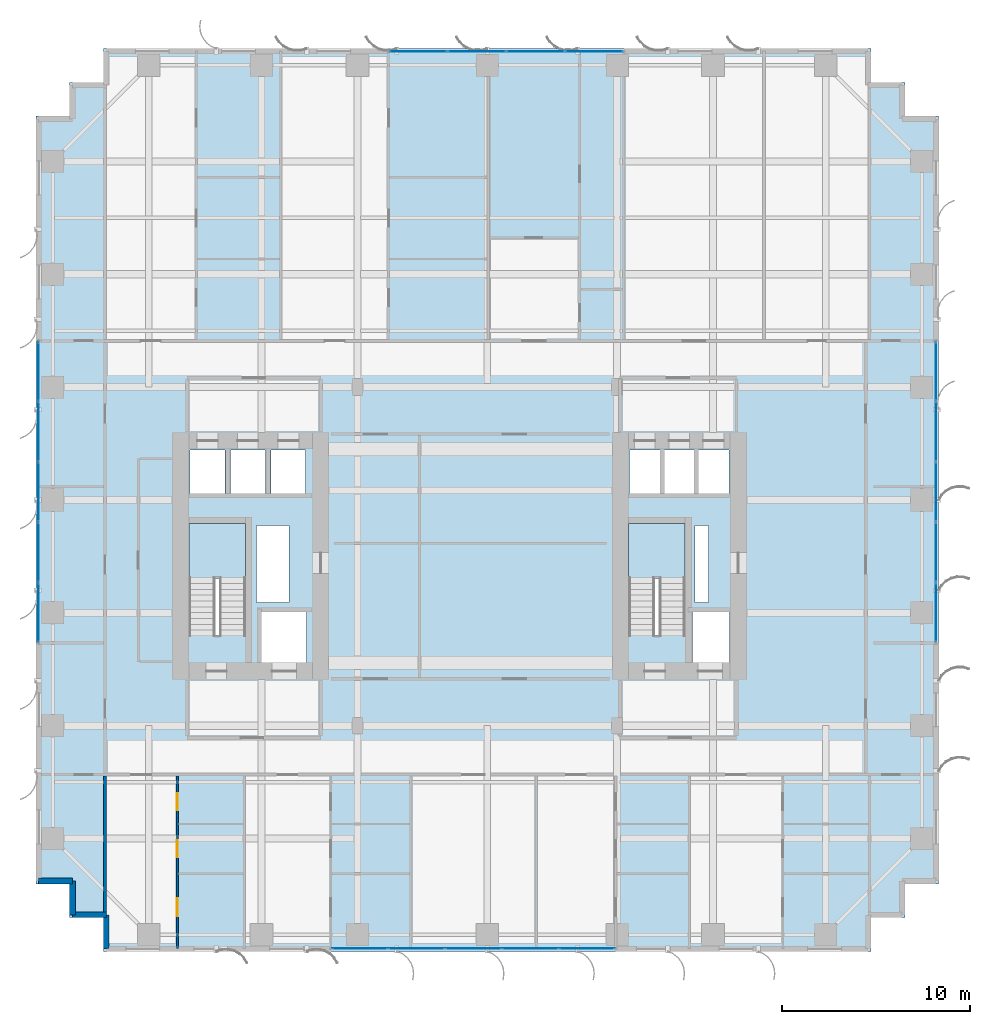
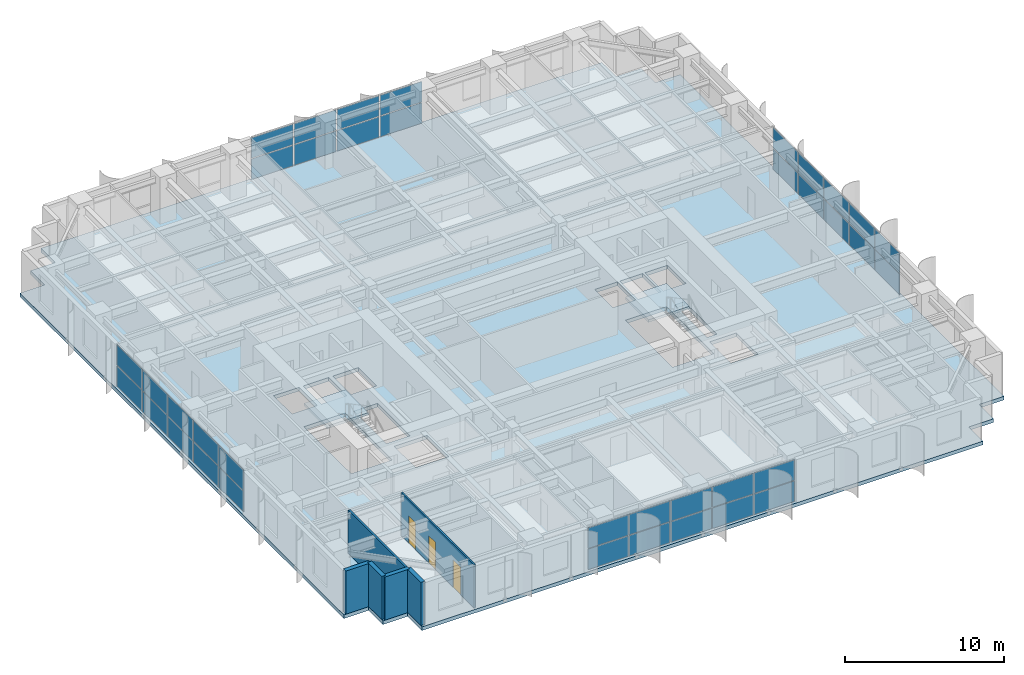
# One storey, part 14 of 23: 38 plates, 6 walls, 3 doors, 3 slabs, 3 openings, 6 elements without a shape of their own.
"""IFC4 building model written with IfcOpenShell, lengths in metres."""

from ifc_helpers import new_model, si_unit, direction, frame, frame_2d, origin, origin_2d, place, context, subcontext, project, spatial, polyline, rectangle, outline, extrude, source, transform, mapped, material, layer, layer_set, type_object, element, fill, aggregate, save


model = new_model("IFC4")

# Units and contexts
model_context = context("Model", 3, precision=1e-05, world=origin(), true_north=direction((0.0, 1.0)))
body_context = subcontext(model_context, "Body", "Model", "MODEL_VIEW")
ifc_project = project(units=[si_unit("LENGTHUNIT", "METRE"), si_unit("AREAUNIT", "SQUARE_METRE"), si_unit("VOLUMEUNIT", "CUBIC_METRE"), si_unit("PLANEANGLEUNIT", "RADIAN"), si_unit("MASSUNIT", "GRAM", prefix="KILO")], contexts=[model_context])

# Site, building, storey
site_placement = place(None, origin())
site = spatial("IfcSite", under=ifc_project, at=site_placement, CompositionType="ELEMENT")
building_placement = place(site_placement, origin())
building = spatial("IfcBuilding", under=site, at=building_placement, Name="Khoralis Quay Care Tower", CompositionType="ELEMENT")
storey_placement = place(building_placement, frame((0.0, 0.0, 36.89990234375)))
storey = spatial("IfcBuildingStorey", under=building, at=storey_placement, Name="L09", CompositionType="ELEMENT", Elevation=36.89990234375)

# Stair, slab
ifc_material_1 = material(Name="Precast concrete C45/55", Category="concrete")
stair_type = type_object("IfcStairType", Name="ST-TWR-DOGLEG-1400", PredefinedType="HALF_TURN_STAIR", material=ifc_material_1)
stair_1_placement = place(storey_placement, origin())
stair_1 = element("IfcStair", 1, at=stair_1_placement, inside=storey, type_object=stair_type, Name="L09 West Core Exit Stair ST-T1", PredefinedType="HALF_TURN_STAIR")
ifc_layer_1 = layer(ifc_material_1, 0.199951171875)
ifc_layer_set_1 = layer_set([ifc_layer_1], Name="Precast concrete C45/55")
slab_type_1 = type_object("IfcSlabType", Name="SLB-LANDING-200", PredefinedType="LANDING", material=ifc_layer_set_1)
slab_1_placement = place(storey_placement, frame((0.0, 0.0, 1.60009765625)))
slab_1 = element("IfcSlab", 2, at=slab_1_placement, type_object=slab_type_1, Name="ST-T1 landing 1", PredefinedType="LANDING", context=body_context, shape_type="SweptSolid", body=[
    extrude(outline(polyline([(11.14990234375, 19.840087890625), (11.14990234375, 22.75), (8.14990234375, 22.75), (8.14990234375, 19.840087890625), (11.14990234375, 19.840087890625)])), origin(), (0.0, 0.0, 1.0), 0.199951171875),
])
aggregate(stair_1, [slab_1])

stair_2_placement = place(storey_placement, origin())
stair_2 = element("IfcStair", 3, at=stair_2_placement, inside=storey, type_object=stair_type, Name="L09 East Core Exit Stair ST-T2", PredefinedType="HALF_TURN_STAIR")
slab_2_placement = place(storey_placement, frame((0.0, 0.0, 1.60009765625)))
slab_2 = element("IfcSlab", 4, at=slab_2_placement, type_object=slab_type_1, Name="ST-T2 landing 1", PredefinedType="LANDING", context=body_context, shape_type="SweptSolid", body=[
    extrude(outline(polyline([(34.52001953125, 19.840087890625), (34.52001953125, 22.75), (31.52001953125, 22.75), (31.52001953125, 19.840087890625), (34.52001953125, 19.840087890625)])), origin(), (0.0, 0.0, 1.0), 0.199951171875),
])
aggregate(stair_2, [slab_2])

# Slab
ifc_material_2 = material(Name="Concrete C40/50", Category="concrete")
ifc_layer_2 = layer(ifc_material_2, 0.280029296875)
ifc_layer_set_2 = layer_set([ifc_layer_2], Name="Concrete C40/50")
slab_type_2 = type_object("IfcSlabType", Name="SLB-TWR-280", PredefinedType="FLOOR", material=ifc_layer_set_2)
slab_3_placement = place(storey_placement, frame((0.0, 0.0, -0.27978515625)))
element("IfcSlab", 5, at=slab_3_placement, inside=storey, type_object=slab_type_2, Name="Tower Floor Slab L09", PredefinedType="FLOOR", context=body_context, shape_type="SweptSolid", body=[
    extrude(outline(polyline([(3.60009765625, 0.0), (44.39990234375, 0.0), (44.39990234375, 1.800048828125), (46.199951171875, 1.800048828125), (46.199951171875, 3.60009765625), (48.0, 3.60009765625), (48.0, 44.39990234375), (46.199951171875, 44.39990234375), (46.199951171875, 46.199951171875), (44.39990234375, 46.199951171875), (44.39990234375, 48.0), (3.60009765625, 48.0), (3.60009765625, 46.199951171875), (1.800048828125, 46.199951171875), (1.800048828125, 44.39990234375), (0.0, 44.39990234375), (0.0, 3.60009765625), (1.800048828125, 3.60009765625), (1.800048828125, 1.800048828125), (3.60009765625, 1.800048828125), (3.60009765625, 0.0)]), holes=[polyline([(11.14990234375, 16.800048828125), (11.14990234375, 22.75), (8.14990234375, 22.75), (8.14990234375, 16.800048828125), (11.14990234375, 16.800048828125)]), polyline([(34.52001953125, 16.800048828125), (34.52001953125, 22.75), (31.52001953125, 22.75), (31.52001953125, 16.800048828125), (34.52001953125, 16.800048828125)]), polyline([(12.0, 15.35009765625), (14.39990234375, 15.35009765625), (14.39990234375, 18.050048828125), (12.0, 18.050048828125), (12.0, 15.35009765625)]), polyline([(34.919921875, 15.35009765625), (36.8798828125, 15.35009765625), (36.8798828125, 18.050048828125), (34.919921875, 18.050048828125), (34.919921875, 15.35009765625)]), polyline([(8.199951171875, 24.35009765625), (10.050048828125, 24.35009765625), (10.050048828125, 26.64990234375), (8.199951171875, 26.64990234375), (8.199951171875, 24.35009765625)]), polyline([(31.550048828125, 24.35009765625), (33.199951171875, 24.35009765625), (33.199951171875, 26.64990234375), (31.550048828125, 26.64990234375), (31.550048828125, 24.35009765625)]), polyline([(10.35009765625, 24.35009765625), (12.199951171875, 24.35009765625), (12.199951171875, 26.64990234375), (10.35009765625, 26.64990234375), (10.35009765625, 24.35009765625)]), polyline([(33.3798828125, 24.35009765625), (35.030029296875, 24.35009765625), (35.030029296875, 26.64990234375), (33.3798828125, 26.64990234375), (33.3798828125, 24.35009765625)]), polyline([(12.5, 24.35009765625), (14.35009765625, 24.35009765625), (14.35009765625, 26.64990234375), (12.5, 26.64990234375), (12.5, 24.35009765625)]), polyline([(35.199951171875, 24.35009765625), (36.85009765625, 24.35009765625), (36.85009765625, 26.64990234375), (35.199951171875, 26.64990234375), (35.199951171875, 24.35009765625)]), polyline([(11.719970703125, 18.550048828125), (13.449951171875, 18.550048828125), (13.449951171875, 22.64990234375), (11.719970703125, 22.64990234375), (11.719970703125, 18.550048828125)]), polyline([(35.050048828125, 18.550048828125), (35.75, 18.550048828125), (35.75, 22.64990234375), (35.050048828125, 22.64990234375), (35.050048828125, 18.550048828125)])]), origin(), (0.0, 0.0, 1.0), 0.27978515625),
])

# Curtain wall, plates
ifc_material_3 = material(Name="Pale anodised aluminium", Category="aluminium")
ifc_layer_3 = layer(ifc_material_3, 0.179931640625)
ifc_layer_set_3 = layer_set([ifc_layer_3], Name="Pale anodised aluminium")
curtain_wall_type = type_object("IfcCurtainWallType", Name="CW-SYS-Z1", PredefinedType="NOTDEFINED", material=ifc_layer_set_3)
curtain_wall_1_placement = place(storey_placement, origin())
curtain_wall_1 = element("IfcCurtainWall", 6, at=curtain_wall_1_placement, inside=storey, type_object=curtain_wall_type, Name="L09 Unitised Curtain Wall CW-L09-P1-E5", PredefinedType="NOTDEFINED")
ifc_material_4 = material(Name="Low-E solar-control double glazing", Category="glass")
ifc_layer_4 = layer(ifc_material_4, 0.031982421875)
ifc_layer_set_4 = layer_set([ifc_layer_4], Name="Low-E solar-control double glazing")
plate_type = type_object("IfcPlateType", Name="PNL-VIS-32", PredefinedType="CURTAIN_PANEL", material=ifc_layer_set_4)
shared_shape_1 = source(origin(), body_context, "Body", "SweptSolid", [
    extrude(rectangle(XDim=3.1220703125, YDim=0.028076171875, at=origin_2d()), origin(), (0.0, 0.0, 1.0), 1.570068359375),
])
plate_1_placement = place(storey_placement, frame((47.85009765625, 18.02099609375, 0.06005859375), z_axis=(0.0, 0.0, 1.0), x_axis=(0.0, 1.0, 0.0)))
plate_1 = element("IfcPlate", 7, at=plate_1_placement, type_object=plate_type, Name="CW1 panel 1.1", PredefinedType="CURTAIN_PANEL", context=body_context, shape_type="MappedRepresentation", body=[
    mapped(shared_shape_1, transform((0.0, 0.0, 0.0), scale=1.0)),
])
plate_2_placement = place(storey_placement, frame((47.85009765625, 18.02099609375, 1.68994140625), z_axis=(0.0, 0.0, 1.0), x_axis=(0.0, 1.0, 0.0)))
plate_2 = element("IfcPlate", 8, at=plate_2_placement, type_object=plate_type, Name="CW1 panel 1.2", PredefinedType="CURTAIN_PANEL", context=body_context, shape_type="MappedRepresentation", body=[
    mapped(shared_shape_1, transform((0.0, 0.0, 0.0), scale=1.0)),
])
plate_3_placement = place(storey_placement, frame((47.85009765625, 30.839111328125, 0.06005859375), z_axis=(0.0, 0.0, 1.0), x_axis=(0.0, 1.0, 0.0)))
plate_3 = element("IfcPlate", 9, at=plate_3_placement, type_object=plate_type, Name="CW1 panel 5.1", PredefinedType="CURTAIN_PANEL", context=body_context, shape_type="MappedRepresentation", body=[
    mapped(shared_shape_1, transform((0.0, 0.0, 0.0), scale=1.0)),
])
plate_4_placement = place(storey_placement, frame((47.85009765625, 30.839111328125, 1.68994140625), z_axis=(0.0, 0.0, 1.0), x_axis=(0.0, 1.0, 0.0)))
plate_4 = element("IfcPlate", 10, at=plate_4_placement, type_object=plate_type, Name="CW1 panel 5.2", PredefinedType="CURTAIN_PANEL", context=body_context, shape_type="MappedRepresentation", body=[
    mapped(shared_shape_1, transform((0.0, 0.0, 0.0), scale=1.0)),
])

curtain_wall_2_placement = place(storey_placement, origin())
curtain_wall_2 = element("IfcCurtainWall", 11, at=curtain_wall_2_placement, inside=storey, type_object=curtain_wall_type, Name="L09 Unitised Curtain Wall CW-L09-P1-E15", PredefinedType="NOTDEFINED")
plate_5_placement = place(storey_placement, frame((0.14990234375, 30.839111328125, 0.06005859375), z_axis=(0.0, 0.0, 1.0), x_axis=(0.0, -1.0, 0.0)))
plate_5 = element("IfcPlate", 12, at=plate_5_placement, type_object=plate_type, Name="CW1 panel 1.1", PredefinedType="CURTAIN_PANEL", context=body_context, shape_type="MappedRepresentation", body=[
    mapped(shared_shape_1, transform((0.0, 0.0, 0.0), scale=1.0)),
])
plate_6_placement = place(storey_placement, frame((0.14990234375, 30.839111328125, 1.68994140625), z_axis=(0.0, 0.0, 1.0), x_axis=(0.0, -1.0, 0.0)))
plate_6 = element("IfcPlate", 13, at=plate_6_placement, type_object=plate_type, Name="CW1 panel 1.2", PredefinedType="CURTAIN_PANEL", context=body_context, shape_type="MappedRepresentation", body=[
    mapped(shared_shape_1, transform((0.0, 0.0, 0.0), scale=1.0)),
])
plate_7_placement = place(storey_placement, frame((0.14990234375, 18.02099609375, 0.06005859375), z_axis=(0.0, 0.0, 1.0), x_axis=(0.0, -1.0, 0.0)))
plate_7 = element("IfcPlate", 14, at=plate_7_placement, type_object=plate_type, Name="CW1 panel 5.1", PredefinedType="CURTAIN_PANEL", context=body_context, shape_type="MappedRepresentation", body=[
    mapped(shared_shape_1, transform((0.0, 0.0, 0.0), scale=1.0)),
])
plate_8_placement = place(storey_placement, frame((0.14990234375, 18.02099609375, 1.68994140625), z_axis=(0.0, 0.0, 1.0), x_axis=(0.0, -1.0, 0.0)))
plate_8 = element("IfcPlate", 15, at=plate_8_placement, type_object=plate_type, Name="CW1 panel 5.2", PredefinedType="CURTAIN_PANEL", context=body_context, shape_type="MappedRepresentation", body=[
    mapped(shared_shape_1, transform((0.0, 0.0, 0.0), scale=1.0)),
])

# Plate
shared_shape_2 = source(origin(), body_context, "Body", "SweptSolid", [
    extrude(rectangle(XDim=3.152099609375, YDim=0.028076171875, at=origin_2d()), origin(), (0.0, 0.0, 1.0), 1.570068359375),
])
plate_9_placement = place(storey_placement, frame((47.85009765625, 21.218017578125, 0.06005859375), z_axis=(0.0, 0.0, 1.0), x_axis=(0.0, 1.0, 0.0)))
plate_9 = element("IfcPlate", 16, at=plate_9_placement, type_object=plate_type, Name="CW1 panel 2.1", PredefinedType="CURTAIN_PANEL", context=body_context, shape_type="MappedRepresentation", body=[
    mapped(shared_shape_2, transform((0.0, 0.0, 0.0), scale=1.0)),
])

plate_10_placement = place(storey_placement, frame((47.85009765625, 21.218017578125, 1.68994140625), z_axis=(0.0, 0.0, 1.0), x_axis=(0.0, 1.0, 0.0)))
plate_10 = element("IfcPlate", 17, at=plate_10_placement, type_object=plate_type, Name="CW1 panel 2.2", PredefinedType="CURTAIN_PANEL", context=body_context, shape_type="MappedRepresentation", body=[
    mapped(shared_shape_2, transform((0.0, 0.0, 0.0), scale=1.0)),
])

plate_11_placement = place(storey_placement, frame((47.85009765625, 24.429931640625, 0.06005859375), z_axis=(0.0, 0.0, 1.0), x_axis=(0.0, 1.0, 0.0)))
plate_11 = element("IfcPlate", 18, at=plate_11_placement, type_object=plate_type, Name="CW1 panel 3.1", PredefinedType="CURTAIN_PANEL", context=body_context, shape_type="MappedRepresentation", body=[
    mapped(shared_shape_2, transform((0.0, 0.0, 0.0), scale=1.0)),
])

plate_12_placement = place(storey_placement, frame((47.85009765625, 24.429931640625, 1.68994140625), z_axis=(0.0, 0.0, 1.0), x_axis=(0.0, 1.0, 0.0)))
plate_12 = element("IfcPlate", 19, at=plate_12_placement, type_object=plate_type, Name="CW1 panel 3.2", PredefinedType="CURTAIN_PANEL", context=body_context, shape_type="MappedRepresentation", body=[
    mapped(shared_shape_2, transform((0.0, 0.0, 0.0), scale=1.0)),
])

plate_13_placement = place(storey_placement, frame((47.85009765625, 27.64208984375, 0.06005859375), z_axis=(0.0, 0.0, 1.0), x_axis=(0.0, 1.0, 0.0)))
plate_13 = element("IfcPlate", 20, at=plate_13_placement, type_object=plate_type, Name="CW1 panel 4.1", PredefinedType="CURTAIN_PANEL", context=body_context, shape_type="MappedRepresentation", body=[
    mapped(shared_shape_2, transform((0.0, 0.0, 0.0), scale=1.0)),
])

plate_14_placement = place(storey_placement, frame((47.85009765625, 27.64208984375, 1.68994140625), z_axis=(0.0, 0.0, 1.0), x_axis=(0.0, 1.0, 0.0)))
plate_14 = element("IfcPlate", 21, at=plate_14_placement, type_object=plate_type, Name="CW1 panel 4.2", PredefinedType="CURTAIN_PANEL", context=body_context, shape_type="MappedRepresentation", body=[
    mapped(shared_shape_2, transform((0.0, 0.0, 0.0), scale=1.0)),
])

aggregate(curtain_wall_1, [plate_1, plate_2, plate_9, plate_10, plate_11, plate_12, plate_13, plate_14, plate_3, plate_4])

plate_15_placement = place(storey_placement, frame((0.14990234375, 27.64208984375, 0.06005859375), z_axis=(0.0, 0.0, 1.0), x_axis=(0.0, -1.0, 0.0)))
plate_15 = element("IfcPlate", 22, at=plate_15_placement, type_object=plate_type, Name="CW1 panel 2.1", PredefinedType="CURTAIN_PANEL", context=body_context, shape_type="MappedRepresentation", body=[
    mapped(shared_shape_2, transform((0.0, 0.0, 0.0), scale=1.0)),
])

plate_16_placement = place(storey_placement, frame((0.14990234375, 27.64208984375, 1.68994140625), z_axis=(0.0, 0.0, 1.0), x_axis=(0.0, -1.0, 0.0)))
plate_16 = element("IfcPlate", 23, at=plate_16_placement, type_object=plate_type, Name="CW1 panel 2.2", PredefinedType="CURTAIN_PANEL", context=body_context, shape_type="MappedRepresentation", body=[
    mapped(shared_shape_2, transform((0.0, 0.0, 0.0), scale=1.0)),
])

plate_17_placement = place(storey_placement, frame((0.14990234375, 24.429931640625, 0.06005859375), z_axis=(0.0, 0.0, 1.0), x_axis=(0.0, -1.0, 0.0)))
plate_17 = element("IfcPlate", 24, at=plate_17_placement, type_object=plate_type, Name="CW1 panel 3.1", PredefinedType="CURTAIN_PANEL", context=body_context, shape_type="MappedRepresentation", body=[
    mapped(shared_shape_2, transform((0.0, 0.0, 0.0), scale=1.0)),
])

plate_18_placement = place(storey_placement, frame((0.14990234375, 24.429931640625, 1.68994140625), z_axis=(0.0, 0.0, 1.0), x_axis=(0.0, -1.0, 0.0)))
plate_18 = element("IfcPlate", 25, at=plate_18_placement, type_object=plate_type, Name="CW1 panel 3.2", PredefinedType="CURTAIN_PANEL", context=body_context, shape_type="MappedRepresentation", body=[
    mapped(shared_shape_2, transform((0.0, 0.0, 0.0), scale=1.0)),
])

plate_19_placement = place(storey_placement, frame((0.14990234375, 21.218017578125, 0.06005859375), z_axis=(0.0, 0.0, 1.0), x_axis=(0.0, -1.0, 0.0)))
plate_19 = element("IfcPlate", 26, at=plate_19_placement, type_object=plate_type, Name="CW1 panel 4.1", PredefinedType="CURTAIN_PANEL", context=body_context, shape_type="MappedRepresentation", body=[
    mapped(shared_shape_2, transform((0.0, 0.0, 0.0), scale=1.0)),
])

plate_20_placement = place(storey_placement, frame((0.14990234375, 21.218017578125, 1.68994140625), z_axis=(0.0, 0.0, 1.0), x_axis=(0.0, -1.0, 0.0)))
plate_20 = element("IfcPlate", 27, at=plate_20_placement, type_object=plate_type, Name="CW1 panel 4.2", PredefinedType="CURTAIN_PANEL", context=body_context, shape_type="MappedRepresentation", body=[
    mapped(shared_shape_2, transform((0.0, 0.0, 0.0), scale=1.0)),
])

aggregate(curtain_wall_2, [plate_5, plate_6, plate_15, plate_16, plate_17, plate_18, plate_19, plate_20, plate_7, plate_8])

# Curtain wall, plates
curtain_wall_3_placement = place(storey_placement, origin())
curtain_wall_3 = element("IfcCurtainWall", 28, at=curtain_wall_3_placement, inside=storey, type_object=curtain_wall_type, Name="L09 Unitised Curtain Wall CW-L09-P1-E0", PredefinedType="NOTDEFINED")
shared_shape_3 = source(origin(), body_context, "Body", "SweptSolid", [
    extrude(rectangle(XDim=2.938232421875, YDim=0.028076171875, at=origin_2d()), origin(), (0.0, 0.0, 1.0), 1.570068359375),
])
plate_21_placement = place(storey_placement, frame((17.216064453125, 0.14990234375, 0.06005859375), z_axis=(0.0, 0.0, 1.0), x_axis=(1.0, 0.0, 0.0)))
plate_21 = element("IfcPlate", 29, at=plate_21_placement, type_object=plate_type, Name="CW1 panel 1.1", PredefinedType="CURTAIN_PANEL", context=body_context, shape_type="MappedRepresentation", body=[
    mapped(shared_shape_3, transform((0.0, 0.0, 0.0), scale=1.0)),
])
plate_22_placement = place(storey_placement, frame((17.216064453125, 0.14990234375, 1.68994140625), z_axis=(0.0, 0.0, 1.0), x_axis=(1.0, 0.0, 0.0)))
plate_22 = element("IfcPlate", 30, at=plate_22_placement, type_object=plate_type, Name="CW1 panel 1.2", PredefinedType="CURTAIN_PANEL", context=body_context, shape_type="MappedRepresentation", body=[
    mapped(shared_shape_3, transform((0.0, 0.0, 0.0), scale=1.0)),
])
plate_23_placement = place(storey_placement, frame((29.298828125, 0.14990234375, 0.06005859375), z_axis=(0.0, 0.0, 1.0), x_axis=(1.0, 0.0, 0.0)))
plate_23 = element("IfcPlate", 31, at=plate_23_placement, type_object=plate_type, Name="CW1 panel 5.1", PredefinedType="CURTAIN_PANEL", context=body_context, shape_type="MappedRepresentation", body=[
    mapped(shared_shape_3, transform((0.0, 0.0, 0.0), scale=1.0)),
])
plate_24_placement = place(storey_placement, frame((29.298828125, 0.14990234375, 1.68994140625), z_axis=(0.0, 0.0, 1.0), x_axis=(1.0, 0.0, 0.0)))
plate_24 = element("IfcPlate", 32, at=plate_24_placement, type_object=plate_type, Name="CW1 panel 5.2", PredefinedType="CURTAIN_PANEL", context=body_context, shape_type="MappedRepresentation", body=[
    mapped(shared_shape_3, transform((0.0, 0.0, 0.0), scale=1.0)),
])
shared_shape_4 = source(origin(), body_context, "Body", "SweptSolid", [
    extrude(rectangle(XDim=2.96826171875, YDim=0.028076171875, at=origin_2d()), origin(), (0.0, 0.0, 1.0), 1.570068359375),
])
plate_25_placement = place(storey_placement, frame((20.229248046875, 0.14990234375, 0.06005859375), z_axis=(0.0, 0.0, 1.0), x_axis=(1.0, 0.0, 0.0)))
plate_25 = element("IfcPlate", 33, at=plate_25_placement, type_object=plate_type, Name="CW1 panel 2.1", PredefinedType="CURTAIN_PANEL", context=body_context, shape_type="MappedRepresentation", body=[
    mapped(shared_shape_4, transform((0.0, 0.0, 0.0), scale=1.0)),
])
plate_26_placement = place(storey_placement, frame((20.229248046875, 0.14990234375, 1.68994140625), z_axis=(0.0, 0.0, 1.0), x_axis=(1.0, 0.0, 0.0)))
plate_26 = element("IfcPlate", 34, at=plate_26_placement, type_object=plate_type, Name="CW1 panel 2.2", PredefinedType="CURTAIN_PANEL", context=body_context, shape_type="MappedRepresentation", body=[
    mapped(shared_shape_4, transform((0.0, 0.0, 0.0), scale=1.0)),
])
plate_27_placement = place(storey_placement, frame((23.257568359375, 0.14990234375, 0.06005859375), z_axis=(0.0, 0.0, 1.0), x_axis=(1.0, 0.0, 0.0)))
plate_27 = element("IfcPlate", 35, at=plate_27_placement, type_object=plate_type, Name="CW1 panel 3.1", PredefinedType="CURTAIN_PANEL", context=body_context, shape_type="MappedRepresentation", body=[
    mapped(shared_shape_4, transform((0.0, 0.0, 0.0), scale=1.0)),
])
plate_28_placement = place(storey_placement, frame((23.257568359375, 0.14990234375, 1.68994140625), z_axis=(0.0, 0.0, 1.0), x_axis=(1.0, 0.0, 0.0)))
plate_28 = element("IfcPlate", 36, at=plate_28_placement, type_object=plate_type, Name="CW1 panel 3.2", PredefinedType="CURTAIN_PANEL", context=body_context, shape_type="MappedRepresentation", body=[
    mapped(shared_shape_4, transform((0.0, 0.0, 0.0), scale=1.0)),
])
plate_29_placement = place(storey_placement, frame((26.28564453125, 0.14990234375, 0.06005859375), z_axis=(0.0, 0.0, 1.0), x_axis=(1.0, 0.0, 0.0)))
plate_29 = element("IfcPlate", 37, at=plate_29_placement, type_object=plate_type, Name="CW1 panel 4.1", PredefinedType="CURTAIN_PANEL", context=body_context, shape_type="MappedRepresentation", body=[
    mapped(shared_shape_4, transform((0.0, 0.0, 0.0), scale=1.0)),
])
plate_30_placement = place(storey_placement, frame((26.28564453125, 0.14990234375, 1.68994140625), z_axis=(0.0, 0.0, 1.0), x_axis=(1.0, 0.0, 0.0)))
plate_30 = element("IfcPlate", 38, at=plate_30_placement, type_object=plate_type, Name="CW1 panel 4.2", PredefinedType="CURTAIN_PANEL", context=body_context, shape_type="MappedRepresentation", body=[
    mapped(shared_shape_4, transform((0.0, 0.0, 0.0), scale=1.0)),
])
aggregate(curtain_wall_3, [plate_21, plate_22, plate_25, plate_26, plate_27, plate_28, plate_29, plate_30, plate_23, plate_24])

curtain_wall_4_placement = place(storey_placement, origin())
curtain_wall_4 = element("IfcCurtainWall", 39, at=curtain_wall_4_placement, inside=storey, type_object=curtain_wall_type, Name="L09 Unitised Curtain Wall CW-L09-P1-E10", PredefinedType="NOTDEFINED")
shared_shape_5 = source(origin(), body_context, "Body", "SweptSolid", [
    extrude(rectangle(XDim=3.035888671875, YDim=0.028076171875, at=origin_2d()), origin(), (0.0, 0.0, 1.0), 1.570068359375),
])
plate_31_placement = place(storey_placement, frame((29.681884765625, 47.85009765625, 0.06005859375), z_axis=(0.0, 0.0, 1.0), x_axis=(-1.0, 0.0, 0.0)))
plate_31 = element("IfcPlate", 40, at=plate_31_placement, type_object=plate_type, Name="CW1 panel 1.1", PredefinedType="CURTAIN_PANEL", context=body_context, shape_type="MappedRepresentation", body=[
    mapped(shared_shape_5, transform((0.0, 0.0, 0.0), scale=1.0)),
])
plate_32_placement = place(storey_placement, frame((29.681884765625, 47.85009765625, 1.68994140625), z_axis=(0.0, 0.0, 1.0), x_axis=(-1.0, 0.0, 0.0)))
plate_32 = element("IfcPlate", 41, at=plate_32_placement, type_object=plate_type, Name="CW1 panel 1.2", PredefinedType="CURTAIN_PANEL", context=body_context, shape_type="MappedRepresentation", body=[
    mapped(shared_shape_5, transform((0.0, 0.0, 0.0), scale=1.0)),
])
plate_33_placement = place(storey_placement, frame((20.333984375, 47.85009765625, 0.06005859375), z_axis=(0.0, 0.0, 1.0), x_axis=(-1.0, 0.0, 0.0)))
plate_33 = element("IfcPlate", 42, at=plate_33_placement, type_object=plate_type, Name="CW1 panel 4.1", PredefinedType="CURTAIN_PANEL", context=body_context, shape_type="MappedRepresentation", body=[
    mapped(shared_shape_5, transform((0.0, 0.0, 0.0), scale=1.0)),
])
plate_34_placement = place(storey_placement, frame((20.333984375, 47.85009765625, 1.68994140625), z_axis=(0.0, 0.0, 1.0), x_axis=(-1.0, 0.0, 0.0)))
plate_34 = element("IfcPlate", 43, at=plate_34_placement, type_object=plate_type, Name="CW1 panel 4.2", PredefinedType="CURTAIN_PANEL", context=body_context, shape_type="MappedRepresentation", body=[
    mapped(shared_shape_5, transform((0.0, 0.0, 0.0), scale=1.0)),
])
shared_shape_6 = source(origin(), body_context, "Body", "SweptSolid", [
    extrude(rectangle(XDim=3.06591796875, YDim=0.028076171875, at=origin_2d()), origin(), (0.0, 0.0, 1.0), 1.570068359375),
])
plate_35_placement = place(storey_placement, frame((26.571044921875, 47.85009765625, 0.06005859375), z_axis=(0.0, 0.0, 1.0), x_axis=(-1.0, 0.0, 0.0)))
plate_35 = element("IfcPlate", 44, at=plate_35_placement, type_object=plate_type, Name="CW1 panel 2.1", PredefinedType="CURTAIN_PANEL", context=body_context, shape_type="MappedRepresentation", body=[
    mapped(shared_shape_6, transform((0.0, 0.0, 0.0), scale=1.0)),
])
plate_36_placement = place(storey_placement, frame((26.571044921875, 47.85009765625, 1.68994140625), z_axis=(0.0, 0.0, 1.0), x_axis=(-1.0, 0.0, 0.0)))
plate_36 = element("IfcPlate", 45, at=plate_36_placement, type_object=plate_type, Name="CW1 panel 2.2", PredefinedType="CURTAIN_PANEL", context=body_context, shape_type="MappedRepresentation", body=[
    mapped(shared_shape_6, transform((0.0, 0.0, 0.0), scale=1.0)),
])
plate_37_placement = place(storey_placement, frame((23.445068359375, 47.85009765625, 0.06005859375), z_axis=(0.0, 0.0, 1.0), x_axis=(-1.0, 0.0, 0.0)))
plate_37 = element("IfcPlate", 46, at=plate_37_placement, type_object=plate_type, Name="CW1 panel 3.1", PredefinedType="CURTAIN_PANEL", context=body_context, shape_type="MappedRepresentation", body=[
    mapped(shared_shape_6, transform((0.0, 0.0, 0.0), scale=1.0)),
])
plate_38_placement = place(storey_placement, frame((23.445068359375, 47.85009765625, 1.68994140625), z_axis=(0.0, 0.0, 1.0), x_axis=(-1.0, 0.0, 0.0)))
plate_38 = element("IfcPlate", 47, at=plate_38_placement, type_object=plate_type, Name="CW1 panel 3.2", PredefinedType="CURTAIN_PANEL", context=body_context, shape_type="MappedRepresentation", body=[
    mapped(shared_shape_6, transform((0.0, 0.0, 0.0), scale=1.0)),
])
aggregate(curtain_wall_4, [plate_31, plate_32, plate_35, plate_36, plate_37, plate_38, plate_33, plate_34])

# Walls
ifc_layer_5 = layer(ifc_material_1, 0.300048828125)
ifc_layer_set_5 = layer_set([ifc_layer_5], Name="Precast concrete C45/55")
wall_type_1 = type_object("IfcWallType", Name="WL-EXT-REF-300", PredefinedType="SOLIDWALL", material=ifc_layer_set_5)
for number, where, z_axis, x_axis, name in (
    (48, (0.14990234375, 3.75, 0.0), (0.0, 0.0, 1.0), (1.0, 0.0, 0.0), "L09 External Facade Wall WL-EXT-L09-P1-C16"),
    (49, (1.949951171875, 3.75, 0.0), (0.0, 0.0, 1.0), (0.0, -1.0, 0.0), "L09 External Facade Wall WL-EXT-L09-P1-C17"),
    (50, (1.949951171875, 1.949951171875, 0.0), (0.0, 0.0, 1.0), (1.0, 0.0, 0.0), "L09 External Facade Wall WL-EXT-L09-P1-C18"),
    (51, (3.75, 1.949951171875, 0.0), (0.0, 0.0, 1.0), (0.0, -1.0, 0.0), "L09 External Facade Wall WL-EXT-L09-P1-C19"),
):
    element("IfcWall", number, at=place(storey_placement, frame(where, z_axis=z_axis, x_axis=x_axis)), inside=storey, type_object=wall_type_1, Name=name, PredefinedType="SOLIDWALL", context=body_context, shape_type="SweptSolid", body=[
        extrude(rectangle(XDim=1.800048828125, YDim=0.300048828125, at=frame_2d((0.89990234375, 0.0))), origin(), (0.0, 0.0, 1.0), 3.320068359375),
    ])

# Wall, openings, doors
ifc_material_5 = material(Name="Gypsum plasterboard on acoustic metal stud")
ifc_layer_6 = layer(ifc_material_5, 0.114990234375)
ifc_layer_set_6 = layer_set([ifc_layer_6], Name="Gypsum plasterboard on acoustic metal stud")
wall_type_2 = type_object("IfcWallType", Name="WL-PART-115", PredefinedType="PARTITIONING", material=ifc_layer_set_6)
wall_1_placement = place(storey_placement, frame((7.528076171875, 0.14501953125, 0.0), z_axis=(0.0, 0.0, 1.0), x_axis=(0.0, 1.0, 0.0)))
wall_1 = element("IfcWall", 52, at=wall_1_placement, inside=storey, type_object=wall_type_2, Name="L09 Unit 0 Internal Wall", PredefinedType="PARTITIONING", context=body_context, shape_type="SweptSolid", body=[
    extrude(rectangle(XDim=9.177490234375, YDim=0.114990234375, at=frame_2d((4.5888671875, 0.0))), origin(), (0.0, 0.0, 1.0), 3.320068359375),
])
opening_1_placement = place(wall_1_placement, frame((1.722900390625, 0.0, 0.0)))
opening_1 = element("IfcOpeningElement", 53, at=opening_1_placement, cuts=wall_1, Name="Opening ID1", PredefinedType="OPENING", context=body_context, shape_type="SweptSolid", body=[
    extrude(rectangle(XDim=0.949951171875, YDim=2.10009765625, at=frame_2d((0.47509765625, 1.050048828125))), frame((0.0, 0.0673828125, 0.0), z_axis=(0.0, -1.0, 0.0), x_axis=(1.0, 0.0, 0.0)), (0.0, 0.0, 1.0), 0.135009765625),
])
opening_2_placement = place(wall_1_placement, frame((4.85693359375, 0.0, 0.0)))
opening_2 = element("IfcOpeningElement", 54, at=opening_2_placement, cuts=wall_1, Name="Opening WD1", PredefinedType="OPENING", context=body_context, shape_type="SweptSolid", body=[
    extrude(rectangle(XDim=0.89990234375, YDim=2.10009765625, at=frame_2d((0.449951171875, 1.050048828125))), frame((0.0, 0.0673828125, 0.0), z_axis=(0.0, -1.0, 0.0), x_axis=(1.0, 0.0, 0.0)), (0.0, 0.0, 1.0), 0.135009765625),
])
opening_3_placement = place(wall_1_placement, frame((7.3740234375, 0.0, 0.0)))
opening_3 = element("IfcOpeningElement", 55, at=opening_3_placement, cuts=wall_1, Name="Opening WD1", PredefinedType="OPENING", context=body_context, shape_type="SweptSolid", body=[
    extrude(rectangle(XDim=0.89990234375, YDim=2.10009765625, at=frame_2d((0.449951171875, 1.050048828125))), frame((0.0, 0.0673828125, 0.0), z_axis=(0.0, -1.0, 0.0), x_axis=(1.0, 0.0, 0.0)), (0.0, 0.0, 1.0), 0.135009765625),
])
ifc_material_6 = material(Name="Acoustic hardwood timber", Category="wood")
door_type_1 = type_object("IfcDoorType", Name="DR-BATH-900X2100", OperationType="NOTDEFINED", PredefinedType="DOOR", material=ifc_material_6)
shared_shape_7 = source(origin(), body_context, "Body", "SweptSolid", [
    extrude(rectangle(XDim=0.89990234375, YDim=2.10009765625, at=frame_2d((0.449951171875, 1.050048828125))), frame((0.0, 0.02490234375, 0.0), z_axis=(0.0, -1.0, 0.0), x_axis=(1.0, 0.0, 0.0)), (0.0, 0.0, 1.0), 0.050048828125),
])
door_1_placement = place(opening_2_placement, frame((0.89990234375, 0.0, 0.0), z_axis=(0.0, 0.0, 1.0), x_axis=(-1.0, 0.0, 0.0)))
door_1 = element("IfcDoor", 56, at=door_1_placement, inside=storey, type_object=door_type_1, Name="L09 Apartment SB0 KIT Door", OperationType="SINGLE_SWING_LEFT", OverallHeight=2.10009765625, OverallWidth=0.89990234375, PredefinedType="DOOR", context=body_context, shape_type="MappedRepresentation", body=[
    mapped(shared_shape_7, transform((0.0, 0.0, 0.0), scale=1.0)),
])
fill(opening_2, door_1)
door_2_placement = place(opening_3_placement, frame((0.89990234375, 0.0, 0.0), z_axis=(0.0, 0.0, 1.0), x_axis=(-1.0, 0.0, 0.0)))
door_2 = element("IfcDoor", 57, at=door_2_placement, inside=storey, type_object=door_type_1, Name="L09 Apartment SB0 BTH Door", OperationType="SINGLE_SWING_RIGHT", OverallHeight=2.10009765625, OverallWidth=0.89990234375, PredefinedType="DOOR", context=body_context, shape_type="MappedRepresentation", body=[
    mapped(shared_shape_7, transform((0.0, 0.0, 0.0), scale=1.0)),
])
fill(opening_3, door_2)
door_type_2 = type_object("IfcDoorType", Name="DR-ROOM-950X2100", OperationType="NOTDEFINED", PredefinedType="DOOR", material=ifc_material_6)
shared_shape_8 = source(origin(), body_context, "Body", "SweptSolid", [
    extrude(rectangle(XDim=0.949951171875, YDim=2.10009765625, at=frame_2d((0.47509765625, 1.050048828125))), frame((0.0, 0.02490234375, 0.0), z_axis=(0.0, -1.0, 0.0), x_axis=(1.0, 0.0, 0.0)), (0.0, 0.0, 1.0), 0.050048828125),
])
door_3_placement = place(opening_1_placement, frame((0.949951171875, 0.0, 0.0), z_axis=(0.0, 0.0, 1.0), x_axis=(-1.0, 0.0, 0.0)))
door_3 = element("IfcDoor", 58, at=door_3_placement, inside=storey, type_object=door_type_2, Name="L09 Apartment SB0 BED Door", OperationType="SINGLE_SWING_RIGHT", OverallHeight=2.10009765625, OverallWidth=0.949951171875, PredefinedType="DOOR", context=body_context, shape_type="MappedRepresentation", body=[
    mapped(shared_shape_8, transform((0.0, 0.0, 0.0), scale=1.0)),
])
fill(opening_1, door_3)

# Wall
ifc_layer_7 = layer(ifc_material_5, 0.139892578125)
ifc_layer_set_7 = layer_set([ifc_layer_7], Name="Gypsum plasterboard on acoustic metal stud")
wall_type_3 = type_object("IfcWallType", Name="WL-UNIT-140", PredefinedType="PARTITIONING", material=ifc_layer_set_7)
wall_2_placement = place(storey_placement, frame((3.679931640625, 1.945068359375, 0.0), z_axis=(0.0, 0.0, 1.0), x_axis=(0.0, 1.0, 0.0)))
element("IfcWall", 59, at=wall_2_placement, inside=storey, type_object=wall_type_3, Name="L09 SB Demising Wall 0", PredefinedType="PARTITIONING", context=body_context, shape_type="SweptSolid", body=[
    extrude(rectangle(XDim=7.37744140625, YDim=0.139892578125, at=frame_2d((3.688720703125, 0.0))), origin(), (0.0, 0.0, 1.0), 3.320068359375),
])

save(model, "model.ifc")
